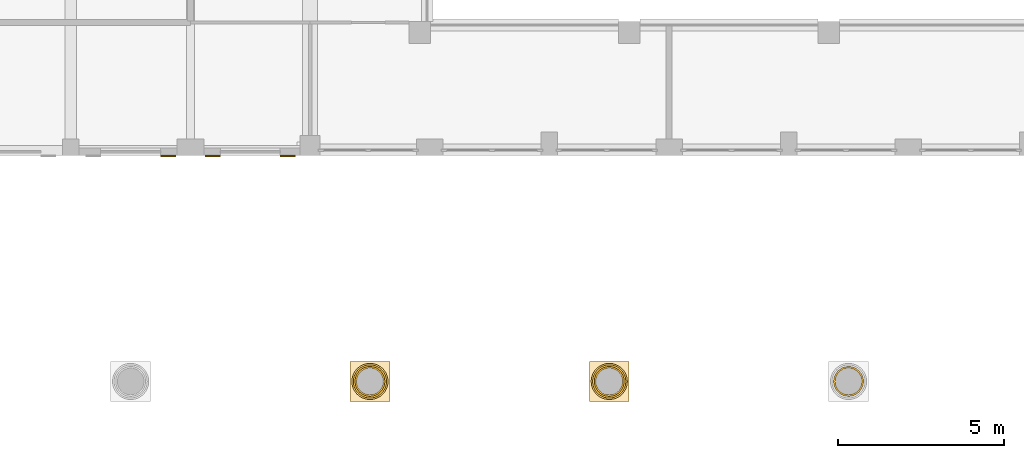
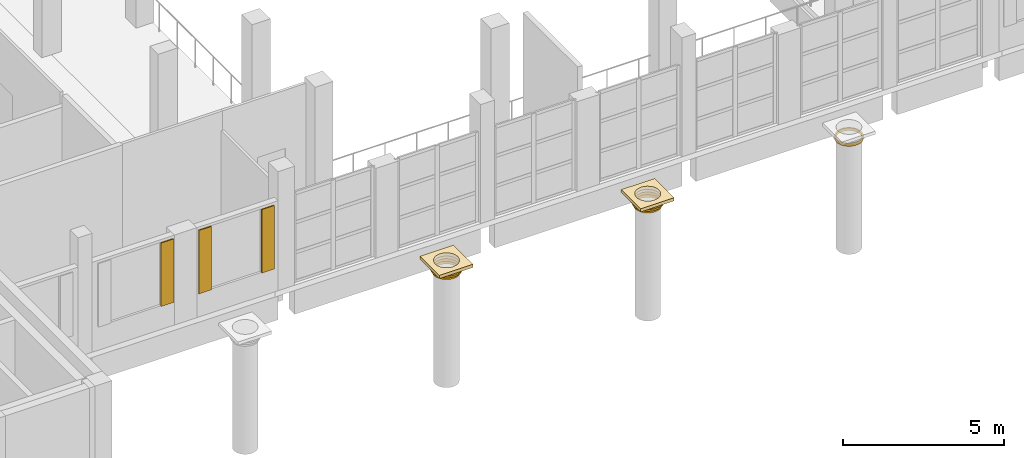
# One storey, part 35 of 59: 9 coverings, 3 shading devices.
"""IFC4 building model written with IfcOpenShell, lengths in metres."""

from ifc_helpers import new_model, si_unit, direction, frame, origin, origin_2d, place, context, subcontext, project, spatial, polyline, rectangle, outline, extrude, material, layer, layer_set, type_object, element, save


model = new_model("IFC4")

# Units and contexts
model_context = context("Model", 3, precision=1e-05, world=origin(), true_north=direction((0.0, 1.0)))
body_context = subcontext(model_context, "Body", "Model", "MODEL_VIEW")
ifc_project = project(units=[si_unit("LENGTHUNIT", "METRE"), si_unit("AREAUNIT", "SQUARE_METRE"), si_unit("VOLUMEUNIT", "CUBIC_METRE"), si_unit("PLANEANGLEUNIT", "RADIAN"), si_unit("MASSUNIT", "GRAM", prefix="KILO")], contexts=[model_context])

# Site, building, storey
site_placement = place(None, origin())
site = spatial("IfcSite", under=ifc_project, at=site_placement, CompositionType="ELEMENT")
building_placement = place(site_placement, origin())
building = spatial("IfcBuilding", under=site, at=building_placement, Name="Ussher Court Research Institute", CompositionType="ELEMENT")
storey_placement = place(building_placement, frame((0.0, 0.0, 5.39990234375)))
storey = spatial("IfcBuildingStorey", under=building, at=storey_placement, Name="L01", CompositionType="ELEMENT", Elevation=5.39990234375)

# Coverings
ifc_material_1 = material(Name="Limestone cornice", Category="masonry")
covering_type_1 = type_object("IfcCoveringType", Name="Column abacus 800 1200x120", PredefinedType="CLADDING", material=ifc_material_1)
covering_1_placement = place(storey_placement, frame((0.0, 0.0, 4.420166015625)))
element("IfcCovering", 1, at=covering_1_placement, inside=storey, type_object=covering_type_1, Name="Column capital CC19", PredefinedType="CLADDING", context=body_context, shape_type="SweptSolid", body=[
    extrude(outline(polyline([(41.39990234375, 3.39990234375), (41.39990234375, 4.60009765625), (40.199951171875, 4.60009765625), (40.199951171875, 3.39990234375), (41.39990234375, 3.39990234375)]), holes=[polyline([(41.200927734375, 4.0), (41.197509765625, 4.05224609375), (41.187255859375, 4.103759765625), (41.17041015625, 4.1533203125), (41.147216796875, 4.200439453125), (41.117919921875, 4.243896484375), (41.08349609375, 4.283447265625), (41.0439453125, 4.318115234375), (41.00048828125, 4.34716796875), (40.953369140625, 4.370361328125), (40.90380859375, 4.38720703125), (40.852294921875, 4.3974609375), (40.800048828125, 4.40087890625), (40.747802734375, 4.3974609375), (40.6962890625, 4.38720703125), (40.646484375, 4.370361328125), (40.599609375, 4.34716796875), (40.555908203125, 4.318115234375), (40.5166015625, 4.283447265625), (40.48193359375, 4.243896484375), (40.452880859375, 4.200439453125), (40.4296875, 4.1533203125), (40.412841796875, 4.103759765625), (40.402587890625, 4.05224609375), (40.399169921875, 4.0), (40.402587890625, 3.94775390625), (40.412841796875, 3.896240234375), (40.4296875, 3.8466796875), (40.452880859375, 3.799560546875), (40.48193359375, 3.756103515625), (40.5166015625, 3.716552734375), (40.555908203125, 3.681884765625), (40.599609375, 3.65283203125), (40.646484375, 3.629638671875), (40.6962890625, 3.61279296875), (40.747802734375, 3.6025390625), (40.800048828125, 3.59912109375), (40.852294921875, 3.6025390625), (40.90380859375, 3.61279296875), (40.953369140625, 3.629638671875), (41.00048828125, 3.65283203125), (41.0439453125, 3.681884765625), (41.08349609375, 3.716552734375), (41.117919921875, 3.756103515625), (41.147216796875, 3.799560546875), (41.17041015625, 3.8466796875), (41.187255859375, 3.896240234375), (41.197509765625, 3.94775390625), (41.200927734375, 4.0)])]), origin(), (0.0, 0.0, 1.0), 0.119873046875),
])
covering_2_placement = place(storey_placement, frame((0.0, 0.0, 4.420166015625)))
element("IfcCovering", 2, at=covering_2_placement, inside=storey, type_object=covering_type_1, Name="Column capital CC19", PredefinedType="CLADDING", context=body_context, shape_type="SweptSolid", body=[
    extrude(outline(polyline([(48.60009765625, 3.39990234375), (48.60009765625, 4.60009765625), (47.39990234375, 4.60009765625), (47.39990234375, 3.39990234375), (48.60009765625, 3.39990234375)]), holes=[polyline([(48.40087890625, 4.0), (48.3974609375, 4.05224609375), (48.38720703125, 4.103759765625), (48.370361328125, 4.1533203125), (48.34716796875, 4.200439453125), (48.318115234375, 4.243896484375), (48.283447265625, 4.283447265625), (48.243896484375, 4.318115234375), (48.200439453125, 4.34716796875), (48.1533203125, 4.370361328125), (48.103759765625, 4.38720703125), (48.05224609375, 4.3974609375), (48.0, 4.40087890625), (47.94775390625, 4.3974609375), (47.896240234375, 4.38720703125), (47.8466796875, 4.370361328125), (47.799560546875, 4.34716796875), (47.756103515625, 4.318115234375), (47.716552734375, 4.283447265625), (47.681884765625, 4.243896484375), (47.65283203125, 4.200439453125), (47.629638671875, 4.1533203125), (47.61279296875, 4.103759765625), (47.6025390625, 4.05224609375), (47.59912109375, 4.0), (47.6025390625, 3.94775390625), (47.61279296875, 3.896240234375), (47.629638671875, 3.8466796875), (47.65283203125, 3.799560546875), (47.681884765625, 3.756103515625), (47.716552734375, 3.716552734375), (47.756103515625, 3.681884765625), (47.799560546875, 3.65283203125), (47.8466796875, 3.629638671875), (47.896240234375, 3.61279296875), (47.94775390625, 3.6025390625), (48.0, 3.59912109375), (48.05224609375, 3.6025390625), (48.103759765625, 3.61279296875), (48.1533203125, 3.629638671875), (48.200439453125, 3.65283203125), (48.243896484375, 3.681884765625), (48.283447265625, 3.716552734375), (48.318115234375, 3.756103515625), (48.34716796875, 3.799560546875), (48.370361328125, 3.8466796875), (48.38720703125, 3.896240234375), (48.3974609375, 3.94775390625), (48.40087890625, 4.0)])]), origin(), (0.0, 0.0, 1.0), 0.119873046875),
])
ifc_material_2 = material(Name="Limestone cornice", Category="masonry")
covering_type_2 = type_object("IfcCoveringType", Name="Column capital echinus 800 1000x100", PredefinedType="CLADDING", material=ifc_material_2)
covering_3_placement = place(storey_placement, frame((0.0, 0.0, 4.22021484375)))
element("IfcCovering", 3, at=covering_3_placement, inside=storey, type_object=covering_type_2, Name="Column capital CC17", PredefinedType="CLADDING", context=body_context, shape_type="SweptSolid", body=[
    extrude(outline(polyline([(41.300048828125, 4.0), (41.295654296875, 4.065185546875), (41.282958984375, 4.12939453125), (41.261962890625, 4.19140625), (41.23291015625, 4.25), (41.19677734375, 4.304443359375), (41.153564453125, 4.353515625), (41.1044921875, 4.396728515625), (41.050048828125, 4.43310546875), (40.9912109375, 4.4619140625), (40.929443359375, 4.48291015625), (40.865234375, 4.49560546875), (40.800048828125, 4.5), (40.734619140625, 4.49560546875), (40.670654296875, 4.48291015625), (40.608642578125, 4.4619140625), (40.550048828125, 4.43310546875), (40.49560546875, 4.396728515625), (40.4462890625, 4.353515625), (40.4033203125, 4.304443359375), (40.366943359375, 4.25), (40.338134765625, 4.19140625), (40.31689453125, 4.12939453125), (40.30419921875, 4.065185546875), (40.300048828125, 4.0), (40.30419921875, 3.934814453125), (40.31689453125, 3.87060546875), (40.338134765625, 3.80859375), (40.366943359375, 3.75), (40.4033203125, 3.695556640625), (40.4462890625, 3.646484375), (40.49560546875, 3.603271484375), (40.550048828125, 3.56689453125), (40.608642578125, 3.5380859375), (40.670654296875, 3.51708984375), (40.734619140625, 3.50439453125), (40.800048828125, 3.5), (40.865234375, 3.50439453125), (40.929443359375, 3.51708984375), (40.9912109375, 3.5380859375), (41.050048828125, 3.56689453125), (41.1044921875, 3.603271484375), (41.153564453125, 3.646484375), (41.19677734375, 3.695556640625), (41.23291015625, 3.75), (41.261962890625, 3.80859375), (41.282958984375, 3.87060546875), (41.295654296875, 3.934814453125), (41.300048828125, 4.0)]), holes=[polyline([(41.200927734375, 4.0), (41.197509765625, 4.05224609375), (41.187255859375, 4.103759765625), (41.17041015625, 4.1533203125), (41.147216796875, 4.200439453125), (41.117919921875, 4.243896484375), (41.08349609375, 4.283447265625), (41.0439453125, 4.318115234375), (41.00048828125, 4.34716796875), (40.953369140625, 4.370361328125), (40.90380859375, 4.38720703125), (40.852294921875, 4.3974609375), (40.800048828125, 4.40087890625), (40.747802734375, 4.3974609375), (40.6962890625, 4.38720703125), (40.646484375, 4.370361328125), (40.599609375, 4.34716796875), (40.555908203125, 4.318115234375), (40.5166015625, 4.283447265625), (40.48193359375, 4.243896484375), (40.452880859375, 4.200439453125), (40.4296875, 4.1533203125), (40.412841796875, 4.103759765625), (40.402587890625, 4.05224609375), (40.399169921875, 4.0), (40.402587890625, 3.94775390625), (40.412841796875, 3.896240234375), (40.4296875, 3.8466796875), (40.452880859375, 3.799560546875), (40.48193359375, 3.756103515625), (40.5166015625, 3.716552734375), (40.555908203125, 3.681884765625), (40.599609375, 3.65283203125), (40.646484375, 3.629638671875), (40.6962890625, 3.61279296875), (40.747802734375, 3.6025390625), (40.800048828125, 3.59912109375), (40.852294921875, 3.6025390625), (40.90380859375, 3.61279296875), (40.953369140625, 3.629638671875), (41.00048828125, 3.65283203125), (41.0439453125, 3.681884765625), (41.08349609375, 3.716552734375), (41.117919921875, 3.756103515625), (41.147216796875, 3.799560546875), (41.17041015625, 3.8466796875), (41.187255859375, 3.896240234375), (41.197509765625, 3.94775390625), (41.200927734375, 4.0)])]), origin(), (0.0, 0.0, 1.0), 0.099853515625),
])
covering_4_placement = place(storey_placement, frame((0.0, 0.0, 4.22021484375)))
element("IfcCovering", 4, at=covering_4_placement, inside=storey, type_object=covering_type_2, Name="Column capital CC17", PredefinedType="CLADDING", context=body_context, shape_type="SweptSolid", body=[
    extrude(outline(polyline([(48.5, 4.0), (48.49560546875, 4.065185546875), (48.48291015625, 4.12939453125), (48.4619140625, 4.19140625), (48.43310546875, 4.25), (48.396728515625, 4.304443359375), (48.353515625, 4.353515625), (48.304443359375, 4.396728515625), (48.25, 4.43310546875), (48.19140625, 4.4619140625), (48.12939453125, 4.48291015625), (48.065185546875, 4.49560546875), (48.0, 4.5), (47.934814453125, 4.49560546875), (47.87060546875, 4.48291015625), (47.80859375, 4.4619140625), (47.75, 4.43310546875), (47.695556640625, 4.396728515625), (47.646484375, 4.353515625), (47.603271484375, 4.304443359375), (47.56689453125, 4.25), (47.5380859375, 4.19140625), (47.51708984375, 4.12939453125), (47.50439453125, 4.065185546875), (47.5, 4.0), (47.50439453125, 3.934814453125), (47.51708984375, 3.87060546875), (47.5380859375, 3.80859375), (47.56689453125, 3.75), (47.603271484375, 3.695556640625), (47.646484375, 3.646484375), (47.695556640625, 3.603271484375), (47.75, 3.56689453125), (47.80859375, 3.5380859375), (47.87060546875, 3.51708984375), (47.934814453125, 3.50439453125), (48.0, 3.5), (48.065185546875, 3.50439453125), (48.12939453125, 3.51708984375), (48.19140625, 3.5380859375), (48.25, 3.56689453125), (48.304443359375, 3.603271484375), (48.353515625, 3.646484375), (48.396728515625, 3.695556640625), (48.43310546875, 3.75), (48.4619140625, 3.80859375), (48.48291015625, 3.87060546875), (48.49560546875, 3.934814453125), (48.5, 4.0)]), holes=[polyline([(48.40087890625, 4.0), (48.3974609375, 4.05224609375), (48.38720703125, 4.103759765625), (48.370361328125, 4.1533203125), (48.34716796875, 4.200439453125), (48.318115234375, 4.243896484375), (48.283447265625, 4.283447265625), (48.243896484375, 4.318115234375), (48.200439453125, 4.34716796875), (48.1533203125, 4.370361328125), (48.103759765625, 4.38720703125), (48.05224609375, 4.3974609375), (48.0, 4.40087890625), (47.94775390625, 4.3974609375), (47.896240234375, 4.38720703125), (47.8466796875, 4.370361328125), (47.799560546875, 4.34716796875), (47.756103515625, 4.318115234375), (47.716552734375, 4.283447265625), (47.681884765625, 4.243896484375), (47.65283203125, 4.200439453125), (47.629638671875, 4.1533203125), (47.61279296875, 4.103759765625), (47.6025390625, 4.05224609375), (47.59912109375, 4.0), (47.6025390625, 3.94775390625), (47.61279296875, 3.896240234375), (47.629638671875, 3.8466796875), (47.65283203125, 3.799560546875), (47.681884765625, 3.756103515625), (47.716552734375, 3.716552734375), (47.756103515625, 3.681884765625), (47.799560546875, 3.65283203125), (47.8466796875, 3.629638671875), (47.896240234375, 3.61279296875), (47.94775390625, 3.6025390625), (48.0, 3.59912109375), (48.05224609375, 3.6025390625), (48.103759765625, 3.61279296875), (48.1533203125, 3.629638671875), (48.200439453125, 3.65283203125), (48.243896484375, 3.681884765625), (48.283447265625, 3.716552734375), (48.318115234375, 3.756103515625), (48.34716796875, 3.799560546875), (48.370361328125, 3.8466796875), (48.38720703125, 3.896240234375), (48.3974609375, 3.94775390625), (48.40087890625, 4.0)])]), origin(), (0.0, 0.0, 1.0), 0.099853515625),
])
ifc_material_3 = material(Name="Limestone cornice", Category="masonry")
covering_type_3 = type_object("IfcCoveringType", Name="Column capital neck 800 896x100", PredefinedType="CLADDING", material=ifc_material_3)
covering_5_placement = place(storey_placement, frame((0.0, 0.0, 4.1201171875)))
element("IfcCovering", 5, at=covering_5_placement, inside=storey, type_object=covering_type_3, Name="Column capital CC16", PredefinedType="CLADDING", context=body_context, shape_type="SweptSolid", body=[
    extrude(outline(polyline([(41.248046875, 4.0), (41.244140625, 4.05859375), (41.232666015625, 4.115966796875), (41.2138671875, 4.17138671875), (41.18798828125, 4.22412109375), (41.155517578125, 4.272705078125), (41.11669921875, 4.31689453125), (41.07275390625, 4.35546875), (41.02392578125, 4.387939453125), (40.971435546875, 4.413818359375), (40.916015625, 4.4326171875), (40.8583984375, 4.444091796875), (40.800048828125, 4.447998046875), (40.741455078125, 4.444091796875), (40.68408203125, 4.4326171875), (40.628662109375, 4.413818359375), (40.575927734375, 4.387939453125), (40.52734375, 4.35546875), (40.483154296875, 4.31689453125), (40.444580078125, 4.272705078125), (40.412109375, 4.22412109375), (40.385986328125, 4.17138671875), (40.3671875, 4.115966796875), (40.355712890625, 4.05859375), (40.35205078125, 4.0), (40.355712890625, 3.94140625), (40.3671875, 3.884033203125), (40.385986328125, 3.82861328125), (40.412109375, 3.77587890625), (40.444580078125, 3.727294921875), (40.483154296875, 3.68310546875), (40.52734375, 3.64453125), (40.575927734375, 3.612060546875), (40.628662109375, 3.586181640625), (40.68408203125, 3.5673828125), (40.741455078125, 3.555908203125), (40.800048828125, 3.552001953125), (40.8583984375, 3.555908203125), (40.916015625, 3.5673828125), (40.971435546875, 3.586181640625), (41.02392578125, 3.612060546875), (41.07275390625, 3.64453125), (41.11669921875, 3.68310546875), (41.155517578125, 3.727294921875), (41.18798828125, 3.77587890625), (41.2138671875, 3.82861328125), (41.232666015625, 3.884033203125), (41.244140625, 3.94140625), (41.248046875, 4.0)]), holes=[polyline([(41.200927734375, 4.0), (41.197509765625, 4.05224609375), (41.187255859375, 4.103759765625), (41.17041015625, 4.1533203125), (41.147216796875, 4.200439453125), (41.117919921875, 4.243896484375), (41.08349609375, 4.283447265625), (41.0439453125, 4.318115234375), (41.00048828125, 4.34716796875), (40.953369140625, 4.370361328125), (40.90380859375, 4.38720703125), (40.852294921875, 4.3974609375), (40.800048828125, 4.40087890625), (40.747802734375, 4.3974609375), (40.6962890625, 4.38720703125), (40.646484375, 4.370361328125), (40.599609375, 4.34716796875), (40.555908203125, 4.318115234375), (40.5166015625, 4.283447265625), (40.48193359375, 4.243896484375), (40.452880859375, 4.200439453125), (40.4296875, 4.1533203125), (40.412841796875, 4.103759765625), (40.402587890625, 4.05224609375), (40.399169921875, 4.0), (40.402587890625, 3.94775390625), (40.412841796875, 3.896240234375), (40.4296875, 3.8466796875), (40.452880859375, 3.799560546875), (40.48193359375, 3.756103515625), (40.5166015625, 3.716552734375), (40.555908203125, 3.681884765625), (40.599609375, 3.65283203125), (40.646484375, 3.629638671875), (40.6962890625, 3.61279296875), (40.747802734375, 3.6025390625), (40.800048828125, 3.59912109375), (40.852294921875, 3.6025390625), (40.90380859375, 3.61279296875), (40.953369140625, 3.629638671875), (41.00048828125, 3.65283203125), (41.0439453125, 3.681884765625), (41.08349609375, 3.716552734375), (41.117919921875, 3.756103515625), (41.147216796875, 3.799560546875), (41.17041015625, 3.8466796875), (41.187255859375, 3.896240234375), (41.197509765625, 3.94775390625), (41.200927734375, 4.0)])]), origin(), (0.0, 0.0, 1.0), 0.10009765625),
])
covering_6_placement = place(storey_placement, frame((0.0, 0.0, 4.1201171875)))
element("IfcCovering", 6, at=covering_6_placement, inside=storey, type_object=covering_type_3, Name="Column capital CC16", PredefinedType="CLADDING", context=body_context, shape_type="SweptSolid", body=[
    extrude(outline(polyline([(48.447998046875, 4.0), (48.444091796875, 4.05859375), (48.4326171875, 4.115966796875), (48.413818359375, 4.17138671875), (48.387939453125, 4.22412109375), (48.35546875, 4.272705078125), (48.31689453125, 4.31689453125), (48.272705078125, 4.35546875), (48.22412109375, 4.387939453125), (48.17138671875, 4.413818359375), (48.115966796875, 4.4326171875), (48.05859375, 4.444091796875), (48.0, 4.447998046875), (47.94140625, 4.444091796875), (47.884033203125, 4.4326171875), (47.82861328125, 4.413818359375), (47.77587890625, 4.387939453125), (47.727294921875, 4.35546875), (47.68310546875, 4.31689453125), (47.64453125, 4.272705078125), (47.612060546875, 4.22412109375), (47.586181640625, 4.17138671875), (47.5673828125, 4.115966796875), (47.555908203125, 4.05859375), (47.552001953125, 4.0), (47.555908203125, 3.94140625), (47.5673828125, 3.884033203125), (47.586181640625, 3.82861328125), (47.612060546875, 3.77587890625), (47.64453125, 3.727294921875), (47.68310546875, 3.68310546875), (47.727294921875, 3.64453125), (47.77587890625, 3.612060546875), (47.82861328125, 3.586181640625), (47.884033203125, 3.5673828125), (47.94140625, 3.555908203125), (48.0, 3.552001953125), (48.05859375, 3.555908203125), (48.115966796875, 3.5673828125), (48.17138671875, 3.586181640625), (48.22412109375, 3.612060546875), (48.272705078125, 3.64453125), (48.31689453125, 3.68310546875), (48.35546875, 3.727294921875), (48.387939453125, 3.77587890625), (48.413818359375, 3.82861328125), (48.4326171875, 3.884033203125), (48.444091796875, 3.94140625), (48.447998046875, 4.0)]), holes=[polyline([(48.40087890625, 4.0), (48.3974609375, 4.05224609375), (48.38720703125, 4.103759765625), (48.370361328125, 4.1533203125), (48.34716796875, 4.200439453125), (48.318115234375, 4.243896484375), (48.283447265625, 4.283447265625), (48.243896484375, 4.318115234375), (48.200439453125, 4.34716796875), (48.1533203125, 4.370361328125), (48.103759765625, 4.38720703125), (48.05224609375, 4.3974609375), (48.0, 4.40087890625), (47.94775390625, 4.3974609375), (47.896240234375, 4.38720703125), (47.8466796875, 4.370361328125), (47.799560546875, 4.34716796875), (47.756103515625, 4.318115234375), (47.716552734375, 4.283447265625), (47.681884765625, 4.243896484375), (47.65283203125, 4.200439453125), (47.629638671875, 4.1533203125), (47.61279296875, 4.103759765625), (47.6025390625, 4.05224609375), (47.59912109375, 4.0), (47.6025390625, 3.94775390625), (47.61279296875, 3.896240234375), (47.629638671875, 3.8466796875), (47.65283203125, 3.799560546875), (47.681884765625, 3.756103515625), (47.716552734375, 3.716552734375), (47.756103515625, 3.681884765625), (47.799560546875, 3.65283203125), (47.8466796875, 3.629638671875), (47.896240234375, 3.61279296875), (47.94775390625, 3.6025390625), (48.0, 3.59912109375), (48.05224609375, 3.6025390625), (48.103759765625, 3.61279296875), (48.1533203125, 3.629638671875), (48.200439453125, 3.65283203125), (48.243896484375, 3.681884765625), (48.283447265625, 3.716552734375), (48.318115234375, 3.756103515625), (48.34716796875, 3.799560546875), (48.370361328125, 3.8466796875), (48.38720703125, 3.896240234375), (48.3974609375, 3.94775390625), (48.40087890625, 4.0)])]), origin(), (0.0, 0.0, 1.0), 0.10009765625),
])
covering_7_placement = place(storey_placement, frame((0.0, 0.0, 4.1201171875)))
element("IfcCovering", 7, at=covering_7_placement, inside=storey, type_object=covering_type_3, Name="Column capital CC16", PredefinedType="CLADDING", context=body_context, shape_type="SweptSolid", body=[
    extrude(outline(polyline([(55.64794921875, 4.0), (55.644287109375, 4.05859375), (55.6328125, 4.115966796875), (55.614013671875, 4.17138671875), (55.587890625, 4.22412109375), (55.555419921875, 4.272705078125), (55.516845703125, 4.31689453125), (55.47265625, 4.35546875), (55.424072265625, 4.387939453125), (55.371337890625, 4.413818359375), (55.31591796875, 4.4326171875), (55.258544921875, 4.444091796875), (55.199951171875, 4.447998046875), (55.1416015625, 4.444091796875), (55.083984375, 4.4326171875), (55.028564453125, 4.413818359375), (54.97607421875, 4.387939453125), (54.92724609375, 4.35546875), (54.88330078125, 4.31689453125), (54.844482421875, 4.272705078125), (54.81201171875, 4.22412109375), (54.7861328125, 4.17138671875), (54.767333984375, 4.115966796875), (54.755859375, 4.05859375), (54.751953125, 4.0), (54.755859375, 3.94140625), (54.767333984375, 3.884033203125), (54.7861328125, 3.82861328125), (54.81201171875, 3.77587890625), (54.844482421875, 3.727294921875), (54.88330078125, 3.68310546875), (54.92724609375, 3.64453125), (54.97607421875, 3.612060546875), (55.028564453125, 3.586181640625), (55.083984375, 3.5673828125), (55.1416015625, 3.555908203125), (55.199951171875, 3.552001953125), (55.258544921875, 3.555908203125), (55.31591796875, 3.5673828125), (55.371337890625, 3.586181640625), (55.424072265625, 3.612060546875), (55.47265625, 3.64453125), (55.516845703125, 3.68310546875), (55.555419921875, 3.727294921875), (55.587890625, 3.77587890625), (55.614013671875, 3.82861328125), (55.6328125, 3.884033203125), (55.644287109375, 3.94140625), (55.64794921875, 4.0)]), holes=[polyline([(55.600830078125, 4.0), (55.597412109375, 4.05224609375), (55.587158203125, 4.103759765625), (55.5703125, 4.1533203125), (55.547119140625, 4.200439453125), (55.51806640625, 4.243896484375), (55.4833984375, 4.283447265625), (55.444091796875, 4.318115234375), (55.400390625, 4.34716796875), (55.353515625, 4.370361328125), (55.3037109375, 4.38720703125), (55.252197265625, 4.3974609375), (55.199951171875, 4.40087890625), (55.147705078125, 4.3974609375), (55.09619140625, 4.38720703125), (55.046630859375, 4.370361328125), (54.99951171875, 4.34716796875), (54.9560546875, 4.318115234375), (54.91650390625, 4.283447265625), (54.882080078125, 4.243896484375), (54.852783203125, 4.200439453125), (54.82958984375, 4.1533203125), (54.812744140625, 4.103759765625), (54.802490234375, 4.05224609375), (54.799072265625, 4.0), (54.802490234375, 3.94775390625), (54.812744140625, 3.896240234375), (54.82958984375, 3.8466796875), (54.852783203125, 3.799560546875), (54.882080078125, 3.756103515625), (54.91650390625, 3.716552734375), (54.9560546875, 3.681884765625), (54.99951171875, 3.65283203125), (55.046630859375, 3.629638671875), (55.09619140625, 3.61279296875), (55.147705078125, 3.6025390625), (55.199951171875, 3.59912109375), (55.252197265625, 3.6025390625), (55.3037109375, 3.61279296875), (55.353515625, 3.629638671875), (55.400390625, 3.65283203125), (55.444091796875, 3.681884765625), (55.4833984375, 3.716552734375), (55.51806640625, 3.756103515625), (55.547119140625, 3.799560546875), (55.5703125, 3.8466796875), (55.587158203125, 3.896240234375), (55.597412109375, 3.94775390625), (55.600830078125, 4.0)])]), origin(), (0.0, 0.0, 1.0), 0.10009765625),
])
ifc_material_4 = material(Name="Limestone cornice", Category="masonry")
covering_type_4 = type_object("IfcCoveringType", Name="Column capital ovolo 800 1088x100", PredefinedType="CLADDING", material=ifc_material_4)
covering_8_placement = place(storey_placement, frame((0.0, 0.0, 4.320068359375)))
element("IfcCovering", 8, at=covering_8_placement, inside=storey, type_object=covering_type_4, Name="Column capital CC18", PredefinedType="CLADDING", context=body_context, shape_type="SweptSolid", body=[
    extrude(outline(polyline([(41.343994140625, 4.0), (41.33935546875, 4.071044921875), (41.325439453125, 4.140869140625), (41.302490234375, 4.208251953125), (41.27099609375, 4.27197265625), (41.231689453125, 4.331298828125), (41.184814453125, 4.384765625), (41.131103515625, 4.431640625), (41.072021484375, 4.47119140625), (41.00830078125, 4.502685546875), (40.94091796875, 4.525390625), (40.87109375, 4.539306640625), (40.800048828125, 4.5439453125), (40.72900390625, 4.539306640625), (40.6591796875, 4.525390625), (40.591796875, 4.502685546875), (40.528076171875, 4.47119140625), (40.46875, 4.431640625), (40.415283203125, 4.384765625), (40.368408203125, 4.331298828125), (40.328857421875, 4.27197265625), (40.29736328125, 4.208251953125), (40.2744140625, 4.140869140625), (40.2607421875, 4.071044921875), (40.256103515625, 4.0), (40.2607421875, 3.928955078125), (40.2744140625, 3.859130859375), (40.29736328125, 3.791748046875), (40.328857421875, 3.72802734375), (40.368408203125, 3.668701171875), (40.415283203125, 3.615234375), (40.46875, 3.568359375), (40.528076171875, 3.52880859375), (40.591796875, 3.497314453125), (40.6591796875, 3.474609375), (40.72900390625, 3.460693359375), (40.800048828125, 3.4560546875), (40.87109375, 3.460693359375), (40.94091796875, 3.474609375), (41.00830078125, 3.497314453125), (41.072021484375, 3.52880859375), (41.131103515625, 3.568359375), (41.184814453125, 3.615234375), (41.231689453125, 3.668701171875), (41.27099609375, 3.72802734375), (41.302490234375, 3.791748046875), (41.325439453125, 3.859130859375), (41.33935546875, 3.928955078125), (41.343994140625, 4.0)]), holes=[polyline([(41.200927734375, 4.0), (41.197509765625, 4.05224609375), (41.187255859375, 4.103759765625), (41.17041015625, 4.1533203125), (41.147216796875, 4.200439453125), (41.117919921875, 4.243896484375), (41.08349609375, 4.283447265625), (41.0439453125, 4.318115234375), (41.00048828125, 4.34716796875), (40.953369140625, 4.370361328125), (40.90380859375, 4.38720703125), (40.852294921875, 4.3974609375), (40.800048828125, 4.40087890625), (40.747802734375, 4.3974609375), (40.6962890625, 4.38720703125), (40.646484375, 4.370361328125), (40.599609375, 4.34716796875), (40.555908203125, 4.318115234375), (40.5166015625, 4.283447265625), (40.48193359375, 4.243896484375), (40.452880859375, 4.200439453125), (40.4296875, 4.1533203125), (40.412841796875, 4.103759765625), (40.402587890625, 4.05224609375), (40.399169921875, 4.0), (40.402587890625, 3.94775390625), (40.412841796875, 3.896240234375), (40.4296875, 3.8466796875), (40.452880859375, 3.799560546875), (40.48193359375, 3.756103515625), (40.5166015625, 3.716552734375), (40.555908203125, 3.681884765625), (40.599609375, 3.65283203125), (40.646484375, 3.629638671875), (40.6962890625, 3.61279296875), (40.747802734375, 3.6025390625), (40.800048828125, 3.59912109375), (40.852294921875, 3.6025390625), (40.90380859375, 3.61279296875), (40.953369140625, 3.629638671875), (41.00048828125, 3.65283203125), (41.0439453125, 3.681884765625), (41.08349609375, 3.716552734375), (41.117919921875, 3.756103515625), (41.147216796875, 3.799560546875), (41.17041015625, 3.8466796875), (41.187255859375, 3.896240234375), (41.197509765625, 3.94775390625), (41.200927734375, 4.0)])]), origin(), (0.0, 0.0, 1.0), 0.10009765625),
])
covering_9_placement = place(storey_placement, frame((0.0, 0.0, 4.320068359375)))
element("IfcCovering", 9, at=covering_9_placement, inside=storey, type_object=covering_type_4, Name="Column capital CC18", PredefinedType="CLADDING", context=body_context, shape_type="SweptSolid", body=[
    extrude(outline(polyline([(48.5439453125, 4.0), (48.539306640625, 4.071044921875), (48.525390625, 4.140869140625), (48.502685546875, 4.208251953125), (48.47119140625, 4.27197265625), (48.431640625, 4.331298828125), (48.384765625, 4.384765625), (48.331298828125, 4.431640625), (48.27197265625, 4.47119140625), (48.208251953125, 4.502685546875), (48.140869140625, 4.525390625), (48.071044921875, 4.539306640625), (48.0, 4.5439453125), (47.928955078125, 4.539306640625), (47.859130859375, 4.525390625), (47.791748046875, 4.502685546875), (47.72802734375, 4.47119140625), (47.668701171875, 4.431640625), (47.615234375, 4.384765625), (47.568359375, 4.331298828125), (47.52880859375, 4.27197265625), (47.497314453125, 4.208251953125), (47.474609375, 4.140869140625), (47.460693359375, 4.071044921875), (47.4560546875, 4.0), (47.460693359375, 3.928955078125), (47.474609375, 3.859130859375), (47.497314453125, 3.791748046875), (47.52880859375, 3.72802734375), (47.568359375, 3.668701171875), (47.615234375, 3.615234375), (47.668701171875, 3.568359375), (47.72802734375, 3.52880859375), (47.791748046875, 3.497314453125), (47.859130859375, 3.474609375), (47.928955078125, 3.460693359375), (48.0, 3.4560546875), (48.071044921875, 3.460693359375), (48.140869140625, 3.474609375), (48.208251953125, 3.497314453125), (48.27197265625, 3.52880859375), (48.331298828125, 3.568359375), (48.384765625, 3.615234375), (48.431640625, 3.668701171875), (48.47119140625, 3.72802734375), (48.502685546875, 3.791748046875), (48.525390625, 3.859130859375), (48.539306640625, 3.928955078125), (48.5439453125, 4.0)]), holes=[polyline([(48.40087890625, 4.0), (48.3974609375, 4.05224609375), (48.38720703125, 4.103759765625), (48.370361328125, 4.1533203125), (48.34716796875, 4.200439453125), (48.318115234375, 4.243896484375), (48.283447265625, 4.283447265625), (48.243896484375, 4.318115234375), (48.200439453125, 4.34716796875), (48.1533203125, 4.370361328125), (48.103759765625, 4.38720703125), (48.05224609375, 4.3974609375), (48.0, 4.40087890625), (47.94775390625, 4.3974609375), (47.896240234375, 4.38720703125), (47.8466796875, 4.370361328125), (47.799560546875, 4.34716796875), (47.756103515625, 4.318115234375), (47.716552734375, 4.283447265625), (47.681884765625, 4.243896484375), (47.65283203125, 4.200439453125), (47.629638671875, 4.1533203125), (47.61279296875, 4.103759765625), (47.6025390625, 4.05224609375), (47.59912109375, 4.0), (47.6025390625, 3.94775390625), (47.61279296875, 3.896240234375), (47.629638671875, 3.8466796875), (47.65283203125, 3.799560546875), (47.681884765625, 3.756103515625), (47.716552734375, 3.716552734375), (47.756103515625, 3.681884765625), (47.799560546875, 3.65283203125), (47.8466796875, 3.629638671875), (47.896240234375, 3.61279296875), (47.94775390625, 3.6025390625), (48.0, 3.59912109375), (48.05224609375, 3.6025390625), (48.103759765625, 3.61279296875), (48.1533203125, 3.629638671875), (48.200439453125, 3.65283203125), (48.243896484375, 3.681884765625), (48.283447265625, 3.716552734375), (48.318115234375, 3.756103515625), (48.34716796875, 3.799560546875), (48.370361328125, 3.8466796875), (48.38720703125, 3.896240234375), (48.3974609375, 3.94775390625), (48.40087890625, 4.0)])]), origin(), (0.0, 0.0, 1.0), 0.10009765625),
])

# Shading devices
ifc_material_5 = material(Name="Timber louvred shutter", Category="wood")
ifc_layer = layer(ifc_material_5, 0.0400390625)
ifc_layer_set = layer_set([ifc_layer], Name="Timber louvred shutter")
shading_device_type = type_object("IfcShadingDeviceType", Name="Louvred shutter leaf 450x2400", PredefinedType="USERDEFINED", material=ifc_layer_set)
for number, where, z_axis, x_axis, name in (
    (10, (38.324951171875, 10.780029296875, 0.900146484375), (0.0, 0.0, 1.0), (-1.0, 0.0, 0.0), "Shutter LV2 L01"),
    (11, (36.074951171875, 10.780029296875, 0.900146484375), (0.0, 0.0, 1.0), (-1.0, 0.0, 0.0), "Shutter LV2 L01"),
    (12, (34.72509765625, 10.780029296875, 0.900146484375), (0.0, 0.0, 1.0), (-1.0, 0.0, 0.0), "Shutter LV2 L01"),
):
    element("IfcShadingDevice", number, at=place(storey_placement, frame(where, z_axis=z_axis, x_axis=x_axis)), inside=storey, type_object=shading_device_type, Name=name, ObjectType="SHUTTER", PredefinedType="USERDEFINED", context=body_context, shape_type="SweptSolid", body=[
        extrude(rectangle(XDim=0.449951171875, YDim=0.0400390625, at=origin_2d()), origin(), (0.0, 0.0, 1.0), 2.39990234375),
    ])

save(model, "model.ifc")
